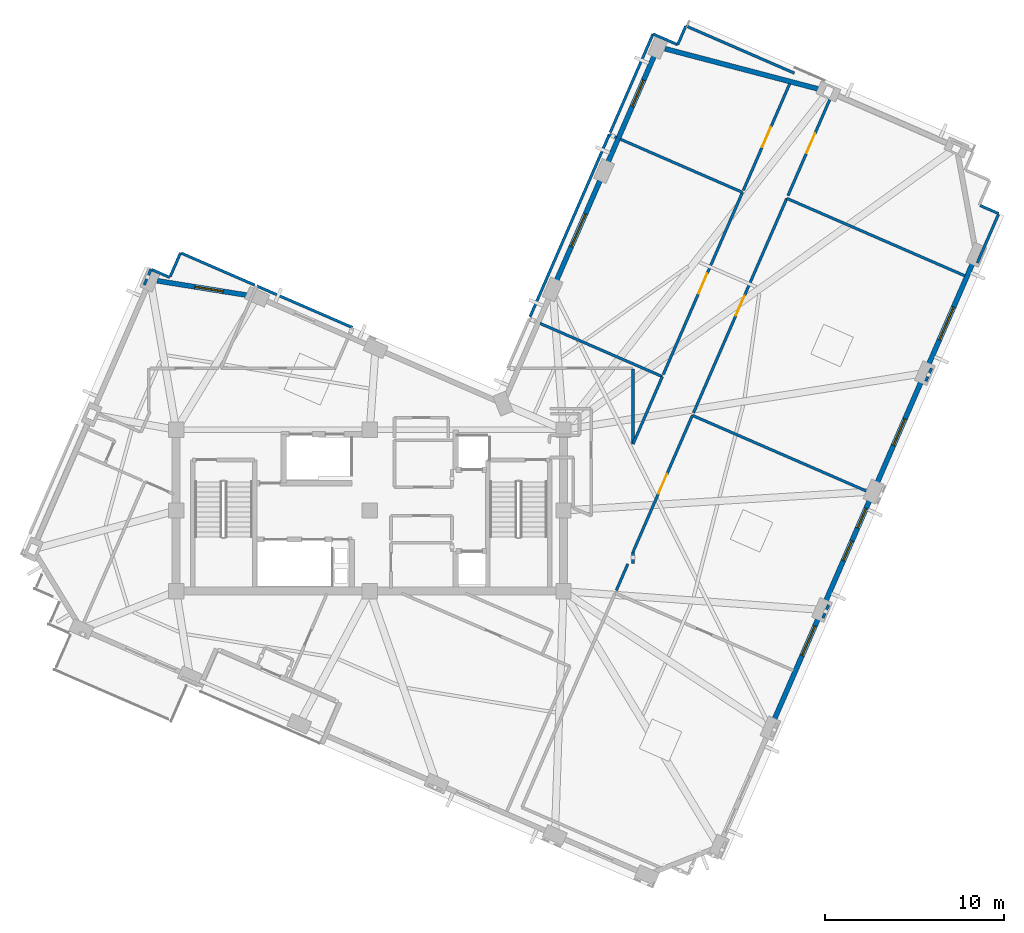
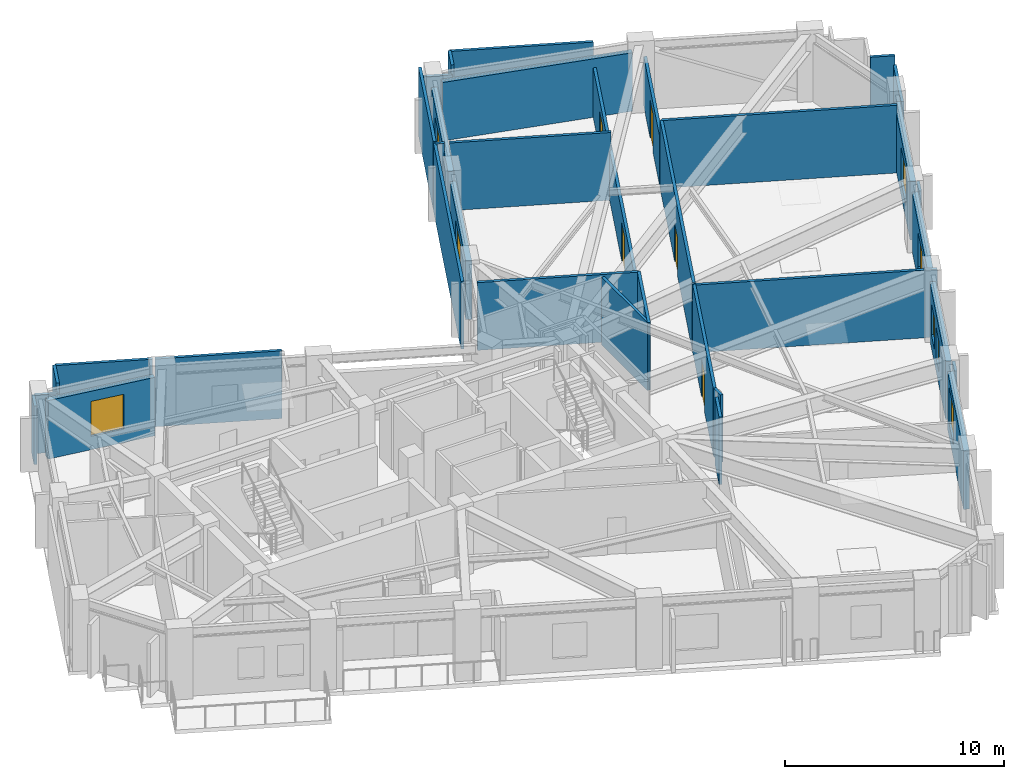
# One storey, part 7 of 12: 36 walls, 8 windows, 5 doors, 13 openings.
"""IFC4 building model written with IfcOpenShell, lengths in metres."""

from ifc_helpers import new_model, si_unit, direction, frame, frame_2d, origin, place, context, subcontext, project, spatial, rectangle, extrude, material, layer, layer_set, type_object, element, fill, save


model = new_model("IFC4")

# Units and contexts
model_context = context("Model", 3, precision=1e-05, world=origin(), true_north=direction((0.0, 1.0)))
body_context = subcontext(model_context, "Body", "Model", "MODEL_VIEW")
ifc_project = project(units=[si_unit("LENGTHUNIT", "METRE"), si_unit("AREAUNIT", "SQUARE_METRE"), si_unit("VOLUMEUNIT", "CUBIC_METRE"), si_unit("PLANEANGLEUNIT", "RADIAN"), si_unit("MASSUNIT", "GRAM", prefix="KILO")], contexts=[model_context])

# Site, building, storey
site_placement = place(None, origin())
site = spatial("IfcSite", under=ifc_project, at=site_placement, CompositionType="ELEMENT")
building_placement = place(site_placement, origin())
building = spatial("IfcBuilding", under=site, at=building_placement, Name="Gaonmaruhae Medical Tower", CompositionType="ELEMENT")
storey_placement = place(building_placement, frame((0.0, 0.0, 316.60009765625)))
storey = spatial("IfcBuildingStorey", under=building, at=storey_placement, Name="L76", CompositionType="ELEMENT", Elevation=316.60009765625)

# Wall, opening, window
ifc_material_1 = material(Name="Precast concrete C45/55", Category="concrete")
ifc_layer_1 = layer(ifc_material_1, 0.280029296875)
ifc_layer_set_1 = layer_set([ifc_layer_1], Name="Precast concrete C45/55")
wall_type_1 = type_object("IfcWallType", Name="EW-280 Upper Precast Masonry-Frame Facade Wall", PredefinedType="SOLIDWALL", material=ifc_layer_set_1)
wall_1_placement = place(storey_placement, frame((49.858642578125, 6.392578125, 0.0), z_axis=(0.0, 0.0, 1.0), x_axis=(-0.398758169539, -0.917056117272, 0.0)))
wall_1 = element("IfcWall", 1, at=wall_1_placement, inside=storey, type_object=wall_type_1, Name="L76 Precast Masonry-Frame Wall S02-S03", PredefinedType="SOLIDWALL", context=body_context, shape_type="SweptSolid", body=[
    extrude(rectangle(XDim=6.40478515625, YDim=0.280029296875, at=frame_2d((3.202392578125, 0.0))), origin(), (0.0, 0.0, 1.0), 3.244873046875),
])
opening_1_placement = place(wall_1_placement, frame((0.583740234375, 0.0, 0.75)))
opening_1 = element("IfcOpeningElement", 2, at=opening_1_placement, cuts=wall_1, Name="Opening WN-04", PredefinedType="OPENING", context=body_context, shape_type="SweptSolid", body=[
    extrude(rectangle(XDim=1.800048828125, YDim=2.050048828125, at=frame_2d((0.89990234375, 1.02490234375))), frame((0.0, 0.14990234375, 0.0), z_axis=(0.0, -1.0, 0.0), x_axis=(1.0, 0.0, 0.0)), (0.0, 0.0, 1.0), 0.300048828125),
])
ifc_material_2 = material(Name="Anodised aluminium and Low-E double glazing", Category="aluminium")
window_type_1 = type_object("IfcWindowType", Name="WN-04 Clinic & Consult Punched Window 1800x2050", PartitioningType="SINGLE_PANEL", PredefinedType="WINDOW", material=ifc_material_2)
window_1_placement = place(opening_1_placement, origin())
window_1 = element("IfcWindow", 3, at=window_1_placement, inside=storey, type_object=window_type_1, Name="L76 Modular Facade Window S02", OverallHeight=2.050048828125, OverallWidth=1.800048828125, PartitioningType="SINGLE_PANEL", PredefinedType="WINDOW", context=body_context, shape_type="SweptSolid", body=[
    extrude(rectangle(XDim=1.800048828125, YDim=2.050048828125, at=frame_2d((0.89990234375, 1.02490234375))), frame((0.0, 0.030029296875, 0.0), z_axis=(0.0, -1.0, 0.0), x_axis=(1.0, 0.0, 0.0)), (0.0, 0.0, 1.0), 0.06005859375),
])
fill(opening_1, window_1)

# Wall, openings, windows
wall_2_placement = place(storey_placement, frame((52.7294921875, 12.99560546875, 0.0), z_axis=(0.0, 0.0, 1.0), x_axis=(-0.398744230651, -0.917062178112, 0.0)))
wall_2 = element("IfcWall", 4, at=wall_2_placement, inside=storey, type_object=wall_type_1, Name="L76 Precast Masonry-Frame Wall S03-S04", PredefinedType="SOLIDWALL", context=body_context, shape_type="SweptSolid", body=[
    extrude(rectangle(XDim=6.405029296875, YDim=0.280029296875, at=frame_2d((3.20263671875, 0.0))), origin(), (0.0, 0.0, 1.0), 3.244873046875),
])
opening_2_placement = place(wall_2_placement, frame((2.6025390625, 0.0, 0.75)))
opening_2 = element("IfcOpeningElement", 5, at=opening_2_placement, cuts=wall_2, Name="Opening WN-05", PredefinedType="OPENING", context=body_context, shape_type="SweptSolid", body=[
    extrude(rectangle(XDim=1.199951171875, YDim=1.75, at=frame_2d((0.60009765625, 0.875))), frame((0.0, 0.14990234375, 0.0), z_axis=(0.0, -1.0, 0.0), x_axis=(1.0, 0.0, 0.0)), (0.0, 0.0, 1.0), 0.300048828125),
])
opening_3_placement = place(wall_2_placement, frame((0.63623046875, 0.0, 0.75)))
opening_3 = element("IfcOpeningElement", 6, at=opening_3_placement, cuts=wall_2, Name="Opening WN-05", PredefinedType="OPENING", context=body_context, shape_type="SweptSolid", body=[
    extrude(rectangle(XDim=1.199951171875, YDim=1.75, at=frame_2d((0.60009765625, 0.875))), frame((0.0, 0.14990234375, 0.0), z_axis=(0.0, -1.0, 0.0), x_axis=(1.0, 0.0, 0.0)), (0.0, 0.0, 1.0), 0.300048828125),
])
window_type_2 = type_object("IfcWindowType", Name="WN-05 Support & Staff Punched Window 1200x1750", PartitioningType="SINGLE_PANEL", PredefinedType="WINDOW", material=ifc_material_2)
window_2_placement = place(opening_2_placement, origin())
window_2 = element("IfcWindow", 7, at=window_2_placement, inside=storey, type_object=window_type_2, Name="L76 Modular Facade Window S03", OverallHeight=1.75, OverallWidth=1.199951171875, PartitioningType="SINGLE_PANEL", PredefinedType="WINDOW", context=body_context, shape_type="SweptSolid", body=[
    extrude(rectangle(XDim=1.199951171875, YDim=1.75, at=frame_2d((0.60009765625, 0.875))), frame((0.0, 0.030029296875, 0.0), z_axis=(0.0, -1.0, 0.0), x_axis=(1.0, 0.0, 0.0)), (0.0, 0.0, 1.0), 0.06005859375),
])
fill(opening_2, window_2)
window_3_placement = place(opening_3_placement, origin())
window_3 = element("IfcWindow", 8, at=window_3_placement, inside=storey, type_object=window_type_2, Name="L76 Modular Facade Window S03B", OverallHeight=1.75, OverallWidth=1.199951171875, PartitioningType="SINGLE_PANEL", PredefinedType="WINDOW", context=body_context, shape_type="SweptSolid", body=[
    extrude(rectangle(XDim=1.199951171875, YDim=1.75, at=frame_2d((0.60009765625, 0.875))), frame((0.0, 0.030029296875, 0.0), z_axis=(0.0, -1.0, 0.0), x_axis=(1.0, 0.0, 0.0)), (0.0, 0.0, 1.0), 0.06005859375),
])
fill(opening_3, window_3)

# Wall, opening, window
wall_3_placement = place(storey_placement, frame((55.6005859375, 19.598388671875, 0.0), z_axis=(0.0, 0.0, 1.0), x_axis=(-0.398744230651, -0.917062178112, 0.0)))
wall_3 = element("IfcWall", 9, at=wall_3_placement, inside=storey, type_object=wall_type_1, Name="L76 Precast Masonry-Frame Wall S04-S05", PredefinedType="SOLIDWALL", context=body_context, shape_type="SweptSolid", body=[
    extrude(rectangle(XDim=6.405029296875, YDim=0.280029296875, at=frame_2d((3.20263671875, 0.0))), origin(), (0.0, 0.0, 1.0), 3.244873046875),
])
opening_4_placement = place(wall_3_placement, frame((2.40234375, 0.0, 0.75)))
opening_4 = element("IfcOpeningElement", 10, at=opening_4_placement, cuts=wall_3, Name="Opening WN-01", PredefinedType="OPENING", context=body_context, shape_type="SweptSolid", body=[
    extrude(rectangle(XDim=1.60009765625, YDim=1.949951171875, at=frame_2d((0.800048828125, 0.97509765625))), frame((0.0, 0.14990234375, 0.0), z_axis=(0.0, -1.0, 0.0), x_axis=(1.0, 0.0, 0.0)), (0.0, 0.0, 1.0), 0.300048828125),
])
window_type_3 = type_object("IfcWindowType", Name="WN-01 Ward Punched Acoustic Window 1600x1950", PartitioningType="SINGLE_PANEL", PredefinedType="WINDOW", material=ifc_material_2)
window_4_placement = place(opening_4_placement, origin())
window_4 = element("IfcWindow", 11, at=window_4_placement, inside=storey, type_object=window_type_3, Name="L76 Modular Facade Window S04", OverallHeight=1.949951171875, OverallWidth=1.60009765625, PartitioningType="SINGLE_PANEL", PredefinedType="WINDOW", context=body_context, shape_type="SweptSolid", body=[
    extrude(rectangle(XDim=1.60009765625, YDim=1.949951171875, at=frame_2d((0.800048828125, 0.97509765625))), frame((0.0, 0.030029296875, 0.0), z_axis=(0.0, -1.0, 0.0), x_axis=(1.0, 0.0, 0.0)), (0.0, 0.0, 1.0), 0.06005859375),
])
fill(opening_4, window_4)

wall_4_placement = place(storey_placement, frame((58.4716796875, 26.201171875, 0.0), z_axis=(0.0, 0.0, 1.0), x_axis=(-0.398776286617, -0.917048239316, 0.0)))
wall_4 = element("IfcWall", 12, at=wall_4_placement, inside=storey, type_object=wall_type_1, Name="L76 Precast Masonry-Frame Wall S05-S06", PredefinedType="SOLIDWALL", context=body_context, shape_type="SweptSolid", body=[
    extrude(rectangle(XDim=6.405029296875, YDim=0.280029296875, at=frame_2d((3.20263671875, 0.0))), origin(), (0.0, 0.0, 1.0), 3.264892578125),
])
opening_5_placement = place(wall_4_placement, frame((2.776123046875, 0.0, 0.75)))
opening_5 = element("IfcOpeningElement", 13, at=opening_5_placement, cuts=wall_4, Name="Opening WN-02", PredefinedType="OPENING", context=body_context, shape_type="SweptSolid", body=[
    extrude(rectangle(XDim=2.0, YDim=1.949951171875, at=frame_2d((1.0, 0.97509765625))), frame((0.0, 0.14990234375, 0.0), z_axis=(0.0, -1.0, 0.0), x_axis=(1.0, 0.0, 0.0)), (0.0, 0.0, 1.0), 0.300048828125),
])
window_type_4 = type_object("IfcWindowType", Name="WN-02 Double-Bed Ward Punched Window 2000x1950", PartitioningType="SINGLE_PANEL", PredefinedType="WINDOW", material=ifc_material_2)
window_5_placement = place(opening_5_placement, origin())
window_5 = element("IfcWindow", 14, at=window_5_placement, inside=storey, type_object=window_type_4, Name="L76 Modular Facade Window S05", OverallHeight=1.949951171875, OverallWidth=2.0, PartitioningType="SINGLE_PANEL", PredefinedType="WINDOW", context=body_context, shape_type="SweptSolid", body=[
    extrude(rectangle(XDim=2.0, YDim=1.949951171875, at=frame_2d((1.0, 0.97509765625))), frame((0.0, 0.030029296875, 0.0), z_axis=(0.0, -1.0, 0.0), x_axis=(1.0, 0.0, 0.0)), (0.0, 0.0, 1.0), 0.06005859375),
])
fill(opening_5, window_5)

# Wall
wall_5_placement = place(storey_placement, frame((41.263671875, 38.05419921875, 0.0), z_axis=(0.0, 0.0, 1.0), x_axis=(0.967228971308, -0.253905724755, 0.0)))
element("IfcWall", 15, at=wall_5_placement, inside=storey, type_object=wall_type_1, Name="L76 Precast Masonry-Frame Wall E02-E03", PredefinedType="SOLIDWALL", context=body_context, shape_type="SweptSolid", body=[
    extrude(rectangle(XDim=9.020263671875, YDim=0.280029296875, at=frame_2d((4.51025390625, 0.0))), origin(), (0.0, 0.0, 1.0), 3.264892578125),
])

# Wall, opening, window
wall_6_placement = place(storey_placement, frame((38.027099609375, 31.595947265625, 0.0), z_axis=(0.0, 0.0, 1.0), x_axis=(0.398764437463, 0.917053391802, 0.0)))
wall_6 = element("IfcWall", 16, at=wall_6_placement, inside=storey, type_object=wall_type_1, Name="L76 Precast Masonry-Frame Wall E03-EN01", PredefinedType="SOLIDWALL", context=body_context, shape_type="SweptSolid", body=[
    extrude(rectangle(XDim=6.7548828125, YDim=0.280029296875, at=frame_2d((3.37744140625, 0.0))), origin(), (0.0, 0.0, 1.0), 3.264892578125),
])
opening_6_placement = place(wall_6_placement, frame((3.5380859375, 0.0, 0.75)))
opening_6 = element("IfcOpeningElement", 17, at=opening_6_placement, cuts=wall_6, Name="Opening WN-01", PredefinedType="OPENING", context=body_context, shape_type="SweptSolid", body=[
    extrude(rectangle(XDim=1.60009765625, YDim=1.949951171875, at=frame_2d((0.800048828125, 0.97509765625))), frame((0.0, 0.14990234375, 0.0), z_axis=(0.0, -1.0, 0.0), x_axis=(1.0, 0.0, 0.0)), (0.0, 0.0, 1.0), 0.300048828125),
])
window_6_placement = place(opening_6_placement, origin())
window_6 = element("IfcWindow", 18, at=window_6_placement, inside=storey, type_object=window_type_3, Name="L76 Modular Facade Window E03", OverallHeight=1.949951171875, OverallWidth=1.60009765625, PartitioningType="SINGLE_PANEL", PredefinedType="WINDOW", context=body_context, shape_type="SweptSolid", body=[
    extrude(rectangle(XDim=1.60009765625, YDim=1.949951171875, at=frame_2d((0.800048828125, 0.97509765625))), frame((0.0, 0.030029296875, 0.0), z_axis=(0.0, -1.0, 0.0), x_axis=(1.0, 0.0, 0.0)), (0.0, 0.0, 1.0), 0.06005859375),
])
fill(opening_6, window_6)

wall_7_placement = place(storey_placement, frame((35.156005859375, 24.9931640625, 0.0), z_axis=(0.0, 0.0, 1.0), x_axis=(0.398758169539, 0.917056117272, 0.0)))
wall_7 = element("IfcWall", 19, at=wall_7_placement, inside=storey, type_object=wall_type_1, Name="L76 Precast Masonry-Frame Wall EN01-EN02", PredefinedType="SOLIDWALL", context=body_context, shape_type="SweptSolid", body=[
    extrude(rectangle(XDim=6.40478515625, YDim=0.280029296875, at=frame_2d((3.202392578125, 0.0))), origin(), (0.0, 0.0, 1.0), 3.264892578125),
])
opening_7_placement = place(wall_7_placement, frame((2.202392578125, 0.0, 0.75)))
opening_7 = element("IfcOpeningElement", 20, at=opening_7_placement, cuts=wall_7, Name="Opening WN-02", PredefinedType="OPENING", context=body_context, shape_type="SweptSolid", body=[
    extrude(rectangle(XDim=2.0, YDim=1.949951171875, at=frame_2d((1.0, 0.97509765625))), frame((0.0, 0.14990234375, 0.0), z_axis=(0.0, -1.0, 0.0), x_axis=(1.0, 0.0, 0.0)), (0.0, 0.0, 1.0), 0.300048828125),
])
window_7_placement = place(opening_7_placement, origin())
window_7 = element("IfcWindow", 21, at=window_7_placement, inside=storey, type_object=window_type_4, Name="L76 Modular Facade Window EN01", OverallHeight=1.949951171875, OverallWidth=2.0, PartitioningType="SINGLE_PANEL", PredefinedType="WINDOW", context=body_context, shape_type="SweptSolid", body=[
    extrude(rectangle(XDim=2.0, YDim=1.949951171875, at=frame_2d((1.0, 0.97509765625))), frame((0.0, 0.030029296875, 0.0), z_axis=(0.0, -1.0, 0.0), x_axis=(1.0, 0.0, 0.0)), (0.0, 0.0, 1.0), 0.06005859375),
])
fill(opening_7, window_7)

wall_8_placement = place(storey_placement, frame((12.94580078125, 25.1103515625, 0.0), z_axis=(0.0, 0.0, 1.0), x_axis=(0.987363821305, -0.158469821666, 0.0)))
wall_8 = element("IfcWall", 22, at=wall_8_placement, inside=storey, type_object=wall_type_1, Name="L76 Precast Masonry-Frame Wall NE02-N01", PredefinedType="SOLIDWALL", context=body_context, shape_type="SweptSolid", body=[
    extrude(rectangle(XDim=5.244140625, YDim=0.280029296875, at=frame_2d((2.6220703125, 0.0))), origin(), (0.0, 0.0, 1.0), 3.264892578125),
])
opening_8_placement = place(wall_8_placement, frame((2.11376953125, 0.0, 0.75)))
opening_8 = element("IfcOpeningElement", 23, at=opening_8_placement, cuts=wall_8, Name="Opening WN-01", PredefinedType="OPENING", context=body_context, shape_type="SweptSolid", body=[
    extrude(rectangle(XDim=1.60009765625, YDim=1.949951171875, at=frame_2d((0.800048828125, 0.97509765625))), frame((0.0, 0.14990234375, 0.0), z_axis=(0.0, -1.0, 0.0), x_axis=(1.0, 0.0, 0.0)), (0.0, 0.0, 1.0), 0.300048828125),
])
window_8_placement = place(opening_8_placement, origin())
window_8 = element("IfcWindow", 24, at=window_8_placement, inside=storey, type_object=window_type_3, Name="L76 Modular Facade Window NE02", OverallHeight=1.949951171875, OverallWidth=1.60009765625, PartitioningType="SINGLE_PANEL", PredefinedType="WINDOW", context=body_context, shape_type="SweptSolid", body=[
    extrude(rectangle(XDim=1.60009765625, YDim=1.949951171875, at=frame_2d((0.800048828125, 0.97509765625))), frame((0.0, 0.030029296875, 0.0), z_axis=(0.0, -1.0, 0.0), x_axis=(1.0, 0.0, 0.0)), (0.0, 0.0, 1.0), 0.06005859375),
])
fill(opening_8, window_8)

# Wall
ifc_material_3 = material(Name="Gypsum board partition", Category="gypsum")
ifc_layer_2 = layer(ifc_material_3, 0.14990234375)
ifc_layer_set_2 = layer_set([ifc_layer_2], Name="Gypsum board partition")
wall_type_2 = type_object("IfcWallType", Name="PW-150 Rated Clinical Corridor Partition", PredefinedType="PARTITIONING", material=ifc_layer_set_2)
wall_9_placement = place(storey_placement, frame((39.47998046875, 9.35009765625, 0.0), z_axis=(0.0, 0.0, 1.0), x_axis=(0.0, 1.0, 0.0)))
element("IfcWall", 25, at=wall_9_placement, inside=storey, type_object=wall_type_2, Name="L76 Interior Partition L76-SUP02-22", PredefinedType="PARTITIONING", context=body_context, shape_type="SweptSolid", body=[
    extrude(rectangle(XDim=0.6337890625, YDim=0.14990234375, at=frame_2d((0.31689453125, 0.0))), origin(), (0.0, 0.0, 1.0), 3.77978515625),
])

# Wall, opening, door
wall_10_placement = place(storey_placement, frame((39.47998046875, 9.98388671875, 0.0), z_axis=(0.0, 0.0, 1.0), x_axis=(0.398659488131, 0.917099020021, 0.0)))
wall_10 = element("IfcWall", 26, at=wall_10_placement, inside=storey, type_object=wall_type_2, Name="L76 Interior Partition L76-SUP02-23", PredefinedType="PARTITIONING", context=body_context, shape_type="SweptSolid", body=[
    extrude(rectangle(XDim=8.307861328125, YDim=0.14990234375, at=frame_2d((4.15380859375, 0.0))), origin(), (0.0, 0.0, 1.0), 3.77978515625),
])
opening_9_placement = place(wall_10_placement, frame((3.553955078125, 0.0, 0.0)))
opening_9 = element("IfcOpeningElement", 27, at=opening_9_placement, cuts=wall_10, Name="Opening CD-02", PredefinedType="OPENING", context=body_context, shape_type="SweptSolid", body=[
    extrude(rectangle(XDim=1.199951171875, YDim=2.14990234375, at=frame_2d((0.60009765625, 1.074951171875))), frame((0.0, 0.0849609375, 0.0), z_axis=(0.0, -1.0, 0.0), x_axis=(1.0, 0.0, 0.0)), (0.0, 0.0, 1.0), 0.169921875),
])
ifc_material_4 = material(Name="Antimicrobial laminate timber fire door", Category="wood")
door_type = type_object("IfcDoorType", Name="CD-02 Clinical Treatment & Procedure Door 1200x2150", OperationType="NOTDEFINED", PredefinedType="DOOR", material=ifc_material_4)
door_1_placement = place(opening_9_placement, origin())
door_1 = element("IfcDoor", 28, at=door_1_placement, inside=storey, type_object=door_type, Name="L76 Clinical Biomedical Charting Office Door", OperationType="SINGLE_SWING_RIGHT", OverallHeight=2.14990234375, OverallWidth=1.199951171875, PredefinedType="DOOR", context=body_context, shape_type="SweptSolid", body=[
    extrude(rectangle(XDim=1.199951171875, YDim=2.14990234375, at=frame_2d((0.60009765625, 1.074951171875))), frame((0.0, 0.02490234375, 0.0), z_axis=(0.0, -1.0, 0.0), x_axis=(1.0, 0.0, 0.0)), (0.0, 0.0, 1.0), 0.050048828125),
])
fill(opening_9, door_1)

# Walls
wall_11_placement = place(storey_placement, frame((42.7919921875, 17.60302734375, 0.0), z_axis=(0.0, 0.0, 1.0), x_axis=(0.917063112739, -0.398742081117, 0.0)))
element("IfcWall", 29, at=wall_11_placement, inside=storey, type_object=wall_type_2, Name="L76 Interior Partition L76-SUP02-24", PredefinedType="PARTITIONING", context=body_context, shape_type="SweptSolid", body=[
    extrude(rectangle(XDim=11.18017578125, YDim=0.14990234375, at=frame_2d((5.590087890625, 0.0))), origin(), (0.0, 0.0, 1.0), 3.77978515625),
])
wall_12_placement = place(storey_placement, frame((50.385986328125, 7.030029296875, 0.0), z_axis=(0.0, 0.0, 1.0), x_axis=(-0.398658726612, -0.91709935105, 0.0)))
element("IfcWall", 30, at=wall_12_placement, inside=storey, type_object=wall_type_2, Name="L76 Interior Partition L76-SUP02-25", PredefinedType="PARTITIONING", context=body_context, shape_type="SweptSolid", body=[
    extrude(rectangle(XDim=0.794921875, YDim=0.14990234375, at=frame_2d((0.3974609375, 0.0))), origin(), (0.0, 0.0, 1.0), 3.244873046875),
])
wall_13_placement = place(storey_placement, frame((38.550048828125, 7.844970703125, 0.0), z_axis=(0.0, 0.0, 1.0), x_axis=(0.398476313607, 0.917178623548, 0.0)))
element("IfcWall", 31, at=wall_13_placement, inside=storey, type_object=wall_type_2, Name="L76 Interior Partition L76-SUP02-26", PredefinedType="PARTITIONING", context=body_context, shape_type="SweptSolid", body=[
    extrude(rectangle(XDim=1.6083984375, YDim=0.14990234375, at=frame_2d((0.80419921875, 0.0))), origin(), (0.0, 0.0, 1.0), 3.77978515625),
])

# Wall, opening, door
wall_14_placement = place(storey_placement, frame((42.85595703125, 17.7490234375, 0.0), z_axis=(0.0, 0.0, 1.0), x_axis=(0.398751440491, 0.917059043195, 0.0)))
wall_14 = element("IfcWall", 32, at=wall_14_placement, inside=storey, type_object=wall_type_2, Name="L76 Interior Partition L76-SUP03-27", PredefinedType="PARTITIONING", context=body_context, shape_type="SweptSolid", body=[
    extrude(rectangle(XDim=13.04052734375, YDim=0.14990234375, at=frame_2d((6.520263671875, 0.0))), origin(), (0.0, 0.0, 1.0), 3.77978515625),
])
opening_10_placement = place(wall_14_placement, frame((5.92041015625, 0.0, 0.0)))
opening_10 = element("IfcOpeningElement", 33, at=opening_10_placement, cuts=wall_14, Name="Opening CD-02", PredefinedType="OPENING", context=body_context, shape_type="SweptSolid", body=[
    extrude(rectangle(XDim=1.199951171875, YDim=2.14990234375, at=frame_2d((0.60009765625, 1.074951171875))), frame((0.0, 0.0849609375, 0.0), z_axis=(0.0, -1.0, 0.0), x_axis=(1.0, 0.0, 0.0)), (0.0, 0.0, 1.0), 0.169921875),
])
door_2_placement = place(opening_10_placement, origin())
door_2 = element("IfcDoor", 34, at=door_2_placement, inside=storey, type_object=door_type, Name="L76 Clinical Biomedical Charting Office Door", OperationType="SINGLE_SWING_LEFT", OverallHeight=2.14990234375, OverallWidth=1.199951171875, PredefinedType="DOOR", context=body_context, shape_type="SweptSolid", body=[
    extrude(rectangle(XDim=1.199951171875, YDim=2.14990234375, at=frame_2d((0.60009765625, 1.074951171875))), frame((0.0, 0.02490234375, 0.0), z_axis=(0.0, -1.0, 0.0), x_axis=(1.0, 0.0, 0.0)), (0.0, 0.0, 1.0), 0.050048828125),
])
fill(opening_10, door_2)

# Walls
wall_15_placement = place(storey_placement, frame((48.055908203125, 29.7080078125, 0.0), z_axis=(0.0, 0.0, 1.0), x_axis=(0.917068265028, -0.398730231207, 0.0)))
element("IfcWall", 35, at=wall_15_placement, inside=storey, type_object=wall_type_2, Name="L76 Interior Partition L76-SUP03-28", PredefinedType="PARTITIONING", context=body_context, shape_type="SweptSolid", body=[
    extrude(rectangle(XDim=10.83447265625, YDim=0.14990234375, at=frame_2d((5.417236328125, 0.0))), origin(), (0.0, 0.0, 1.0), 3.77978515625),
])
wall_16_placement = place(storey_placement, frame((56.12890625, 20.236083984375, 0.0), z_axis=(0.0, 0.0, 1.0), x_axis=(-0.398658726612, -0.91709935105, 0.0)))
element("IfcWall", 36, at=wall_16_placement, inside=storey, type_object=wall_type_2, Name="L76 Interior Partition L76-SUP03-29", PredefinedType="PARTITIONING", context=body_context, shape_type="SweptSolid", body=[
    extrude(rectangle(XDim=0.794921875, YDim=0.14990234375, at=frame_2d((0.3974609375, 0.0))), origin(), (0.0, 0.0, 1.0), 3.264892578125),
])
wall_17_placement = place(storey_placement, frame((58.842041015625, 29.30908203125, 0.0), z_axis=(0.0, 0.0, 1.0), x_axis=(0.916815661373, -0.399310709926, 0.0)))
element("IfcWall", 37, at=wall_17_placement, inside=storey, type_object=wall_type_2, Name="L76 Interior Partition L76-SUP04-31", PredefinedType="PARTITIONING", context=body_context, shape_type="SweptSolid", body=[
    extrude(rectangle(XDim=1.1298828125, YDim=0.14990234375, at=frame_2d((0.56494140625, 0.0))), origin(), (0.0, 0.0, 1.0), 3.77978515625),
])
wall_18_placement = place(storey_placement, frame((59.85791015625, 28.81201171875, 0.0), z_axis=(0.0, 0.0, 1.0), x_axis=(-0.399092651862, -0.916910603728, 0.0)))
element("IfcWall", 38, at=wall_18_placement, inside=storey, type_object=wall_type_2, Name="L76 Interior Partition L76-SUP04-32", PredefinedType="PARTITIONING", context=body_context, shape_type="SweptSolid", body=[
    extrude(rectangle(XDim=2.94677734375, YDim=0.14990234375, at=frame_2d((1.473388671875, 0.0))), origin(), (0.0, 0.0, 1.0), 3.264892578125),
])

# Wall, opening, door
wall_19_placement = place(storey_placement, frame((48.1201171875, 29.85400390625, 0.0), z_axis=(0.0, 0.0, 1.0), x_axis=(0.398700984872, 0.917080980428, 0.0)))
wall_19 = element("IfcWall", 39, at=wall_19_placement, inside=storey, type_object=wall_type_2, Name="L76 Interior Partition L76-SUP04-33", PredefinedType="PARTITIONING", context=body_context, shape_type="SweptSolid", body=[
    extrude(rectangle(XDim=6.395263671875, YDim=0.14990234375, at=frame_2d((3.19775390625, 0.0))), origin(), (0.0, 0.0, 1.0), 2.764892578125),
])
opening_11_placement = place(wall_19_placement, frame((2.59765625, 0.0, 0.0)))
opening_11 = element("IfcOpeningElement", 40, at=opening_11_placement, cuts=wall_19, Name="Opening CD-02", PredefinedType="OPENING", context=body_context, shape_type="SweptSolid", body=[
    extrude(rectangle(XDim=1.199951171875, YDim=2.14990234375, at=frame_2d((0.60009765625, 1.074951171875))), frame((0.0, 0.0849609375, 0.0), z_axis=(0.0, -1.0, 0.0), x_axis=(1.0, 0.0, 0.0)), (0.0, 0.0, 1.0), 0.169921875),
])
door_3_placement = place(opening_11_placement, origin())
door_3 = element("IfcDoor", 41, at=door_3_placement, inside=storey, type_object=door_type, Name="L76 Clinical Biomedical Charting Office Door", OperationType="SINGLE_SWING_LEFT", OverallHeight=2.14990234375, OverallWidth=1.199951171875, PredefinedType="DOOR", context=body_context, shape_type="SweptSolid", body=[
    extrude(rectangle(XDim=1.199951171875, YDim=2.14990234375, at=frame_2d((0.60009765625, 1.074951171875))), frame((0.0, 0.02490234375, 0.0), z_axis=(0.0, -1.0, 0.0), x_axis=(1.0, 0.0, 0.0)), (0.0, 0.0, 1.0), 0.050048828125),
])
fill(opening_11, door_3)

# Walls
wall_20_placement = place(storey_placement, frame((34.299072265625, 22.73291015625, 0.0), z_axis=(0.0, 0.0, 1.0), x_axis=(0.917042906391, -0.398788550284, 0.0)))
element("IfcWall", 42, at=wall_20_placement, inside=storey, type_object=wall_type_2, Name="L76 Interior Partition L76-IE01-62", PredefinedType="PARTITIONING", context=body_context, shape_type="SweptSolid", body=[
    extrude(rectangle(XDim=7.4345703125, YDim=0.14990234375, at=frame_2d((3.71728515625, 0.0))), origin(), (0.0, 0.0, 1.0), 3.77978515625),
])
wall_21_placement = place(storey_placement, frame((41.116943359375, 19.76806640625, 0.0), z_axis=(0.0, 0.0, 1.0), x_axis=(-0.398715239341, -0.917074783165, 0.0)))
element("IfcWall", 43, at=wall_21_placement, inside=storey, type_object=wall_type_2, Name="L76 Interior Partition L76-IE01-63", PredefinedType="PARTITIONING", context=body_context, shape_type="SweptSolid", body=[
    extrude(rectangle(XDim=4.105712890625, YDim=0.14990234375, at=frame_2d((2.052734375, 0.0))), origin(), (0.0, 0.0, 1.0), 3.77978515625),
])
wall_22_placement = place(storey_placement, frame((39.47998046875, 16.0029296875, 0.0), z_axis=(0.0, 0.0, 1.0), x_axis=(0.0, 1.0, 0.0)))
element("IfcWall", 44, at=wall_22_placement, inside=storey, type_object=wall_type_2, Name="L76 Interior Partition L76-IE01-64", PredefinedType="PARTITIONING", context=body_context, shape_type="SweptSolid", body=[
    extrude(rectangle(XDim=4.199951171875, YDim=0.14990234375, at=frame_2d((2.10009765625, 0.0))), origin(), (0.0, 0.0, 1.0), 3.77978515625),
])

# Wall, opening, door
wall_23_placement = place(storey_placement, frame((45.5849609375, 30.044921875, 0.0), z_axis=(0.0, 0.0, 1.0), x_axis=(-0.398687458661, -0.91708686083, 0.0)))
wall_23 = element("IfcWall", 45, at=wall_23_placement, inside=storey, type_object=wall_type_2, Name="L76 Interior Partition L76-IE02-65", PredefinedType="PARTITIONING", context=body_context, shape_type="SweptSolid", body=[
    extrude(rectangle(XDim=11.086181640625, YDim=0.14990234375, at=frame_2d((5.54296875, 0.0))), origin(), (0.0, 0.0, 1.0), 2.764892578125),
])
opening_12_placement = place(wall_23_placement, frame((4.943115234375, 0.0, 0.0)))
opening_12 = element("IfcOpeningElement", 46, at=opening_12_placement, cuts=wall_23, Name="Opening CD-02", PredefinedType="OPENING", context=body_context, shape_type="SweptSolid", body=[
    extrude(rectangle(XDim=1.199951171875, YDim=2.14990234375, at=frame_2d((0.60009765625, 1.074951171875))), frame((0.0, 0.0849609375, 0.0), z_axis=(0.0, -1.0, 0.0), x_axis=(1.0, 0.0, 0.0)), (0.0, 0.0, 1.0), 0.169921875),
])
door_4_placement = place(opening_12_placement, origin())
door_4 = element("IfcDoor", 47, at=door_4_placement, inside=storey, type_object=door_type, Name="L76 Acute Treatment Examination Room Door", OperationType="SINGLE_SWING_LEFT", OverallHeight=2.14990234375, OverallWidth=1.199951171875, PredefinedType="DOOR", context=body_context, shape_type="SweptSolid", body=[
    extrude(rectangle(XDim=1.199951171875, YDim=2.14990234375, at=frame_2d((0.60009765625, 1.074951171875))), frame((0.0, 0.02490234375, 0.0), z_axis=(0.0, -1.0, 0.0), x_axis=(1.0, 0.0, 0.0)), (0.0, 0.0, 1.0), 0.050048828125),
])
fill(opening_12, door_4)

# Walls
wall_24_placement = place(storey_placement, frame((33.736083984375, 23.10791015625, 0.0), z_axis=(0.0, 0.0, 1.0), x_axis=(0.398761541239, 0.917054651168, 0.0)))
element("IfcWall", 48, at=wall_24_placement, inside=storey, type_object=wall_type_2, Name="L76 Interior Partition L76-IE02-66", PredefinedType="PARTITIONING", context=body_context, shape_type="SweptSolid", body=[
    extrude(rectangle(XDim=11.086669921875, YDim=0.14990234375, at=frame_2d((5.54345703125, 0.0))), origin(), (0.0, 0.0, 1.0), 3.77978515625),
])
wall_25_placement = place(storey_placement, frame((38.156982421875, 33.27490234375, 0.0), z_axis=(0.0, 0.0, 1.0), x_axis=(0.916748651636, -0.399464528742, 0.0)))
element("IfcWall", 49, at=wall_25_placement, inside=storey, type_object=wall_type_2, Name="L76 Interior Partition L76-IE02-67", PredefinedType="PARTITIONING", context=body_context, shape_type="SweptSolid", body=[
    extrude(rectangle(XDim=0.43505859375, YDim=0.14990234375, at=frame_2d((0.217529296875, 0.0))), origin(), (0.0, 0.0, 1.0), 3.77978515625),
])
wall_26_placement = place(storey_placement, frame((38.76708984375, 33.010009765625, 0.0), z_axis=(0.0, 0.0, 1.0), x_axis=(0.917030896956, -0.398816165707, 0.0)))
element("IfcWall", 50, at=wall_26_placement, inside=storey, type_object=wall_type_2, Name="L76 Interior Partition L76-IE02-68", PredefinedType="PARTITIONING", context=body_context, shape_type="SweptSolid", body=[
    extrude(rectangle(XDim=7.434814453125, YDim=0.14990234375, at=frame_2d((3.71728515625, 0.0))), origin(), (0.0, 0.0, 1.0), 3.77978515625),
])
wall_27_placement = place(storey_placement, frame((41.969970703125, 38.281005859375, 0.0), z_axis=(0.0, 0.0, 1.0), x_axis=(0.398569395059, 0.917138177878, 0.0)))
element("IfcWall", 51, at=wall_27_placement, inside=storey, type_object=wall_type_2, Name="L76 Interior Partition L76-IE03-69", PredefinedType="PARTITIONING", context=body_context, shape_type="SweptSolid", body=[
    extrude(rectangle(XDim=1.139404296875, YDim=0.14990234375, at=frame_2d((0.56982421875, 0.0))), origin(), (0.0, 0.0, 1.0), 3.77978515625),
])
wall_28_placement = place(storey_placement, frame((42.424072265625, 39.325927734375, 0.0), z_axis=(0.0, 0.0, 1.0), x_axis=(0.917064175576, -0.3987396367, 0.0)))
element("IfcWall", 52, at=wall_28_placement, inside=storey, type_object=wall_type_2, Name="L76 Interior Partition L76-IE03-70", PredefinedType="PARTITIONING", context=body_context, shape_type="SweptSolid", body=[
    extrude(rectangle(XDim=6.600341796875, YDim=0.14990234375, at=frame_2d((3.30029296875, 0.0))), origin(), (0.0, 0.0, 1.0), 3.77978515625),
])

# Wall, opening, door
wall_29_placement = place(storey_placement, frame((48.221923828125, 36.10791015625, 0.0), z_axis=(0.0, 0.0, 1.0), x_axis=(-0.398811373886, -0.9170329809, 0.0)))
wall_29 = element("IfcWall", 53, at=wall_29_placement, inside=storey, type_object=wall_type_2, Name="L76 Interior Partition L76-IE03-71", PredefinedType="PARTITIONING", context=body_context, shape_type="SweptSolid", body=[
    extrude(rectangle(XDim=6.491455078125, YDim=0.14990234375, at=frame_2d((3.24560546875, 0.0))), origin(), (0.0, 0.0, 1.0), 2.764892578125),
])
opening_13_placement = place(wall_29_placement, frame((2.645751953125, 0.0, 0.0)))
opening_13 = element("IfcOpeningElement", 54, at=opening_13_placement, cuts=wall_29, Name="Opening CD-02", PredefinedType="OPENING", context=body_context, shape_type="SweptSolid", body=[
    extrude(rectangle(XDim=1.199951171875, YDim=2.14990234375, at=frame_2d((0.60009765625, 1.074951171875))), frame((0.0, 0.0849609375, 0.0), z_axis=(0.0, -1.0, 0.0), x_axis=(1.0, 0.0, 0.0)), (0.0, 0.0, 1.0), 0.169921875),
])
door_5_placement = place(opening_13_placement, origin())
door_5 = element("IfcDoor", 55, at=door_5_placement, inside=storey, type_object=door_type, Name="L76 Clean Medication Preparation Room Door", OperationType="SINGLE_SWING_LEFT", OverallHeight=2.14990234375, OverallWidth=1.199951171875, PredefinedType="DOOR", context=body_context, shape_type="SweptSolid", body=[
    extrude(rectangle(XDim=1.199951171875, YDim=2.14990234375, at=frame_2d((0.60009765625, 1.074951171875))), frame((0.0, 0.02490234375, 0.0), z_axis=(0.0, -1.0, 0.0), x_axis=(1.0, 0.0, 0.0)), (0.0, 0.0, 1.0), 0.050048828125),
])
fill(opening_13, door_5)

# Walls
wall_30_placement = place(storey_placement, frame((38.205078125, 33.385009765625, 0.0), z_axis=(0.0, 0.0, 1.0), x_axis=(0.398763364975, 0.917053858153, 0.0)))
element("IfcWall", 56, at=wall_30_placement, inside=storey, type_object=wall_type_2, Name="L76 Interior Partition L76-IE03-72", PredefinedType="PARTITIONING", context=body_context, shape_type="SweptSolid", body=[
    extrude(rectangle(XDim=5.99072265625, YDim=0.14990234375, at=frame_2d((2.995361328125, 0.0))), origin(), (0.0, 0.0, 1.0), 3.77978515625),
])
wall_31_placement = place(storey_placement, frame((40.593994140625, 38.87890625, 0.0), z_axis=(0.0, 0.0, 1.0), x_axis=(0.91715541112, -0.398529737728, 0.0)))
element("IfcWall", 57, at=wall_31_placement, inside=storey, type_object=wall_type_2, Name="L76 Interior Partition L76-IE03-73", PredefinedType="PARTITIONING", context=body_context, shape_type="SweptSolid", body=[
    extrude(rectangle(XDim=1.500244140625, YDim=0.14990234375, at=frame_2d((0.75, 0.0))), origin(), (0.0, 0.0, 1.0), 3.264892578125),
])
wall_32_placement = place(storey_placement, frame((18.491943359375, 24.825927734375, 0.0), z_axis=(0.0, 0.0, 1.0), x_axis=(0.917125302545, -0.398599020862, 0.0)))
element("IfcWall", 58, at=wall_32_placement, inside=storey, type_object=wall_type_2, Name="L76 Interior Partition L76-IN02-76", PredefinedType="PARTITIONING", context=body_context, shape_type="SweptSolid", body=[
    extrude(rectangle(XDim=5.830322265625, YDim=0.14990234375, at=frame_2d((2.9150390625, 0.0))), origin(), (0.0, 0.0, 1.0), 3.77978515625),
])
wall_33_placement = place(storey_placement, frame((12.219970703125, 24.885009765625, 0.0), z_axis=(0.0, 0.0, 1.0), x_axis=(0.399235297463, 0.916848502894, 0.0)))
element("IfcWall", 59, at=wall_33_placement, inside=storey, type_object=wall_type_2, Name="L76 Interior Partition L76-IN03-82", PredefinedType="PARTITIONING", context=body_context, shape_type="SweptSolid", body=[
    extrude(rectangle(XDim=0.946533203125, YDim=0.14990234375, at=frame_2d((0.47314453125, 0.0))), origin(), (0.0, 0.0, 1.0), 3.264892578125),
])
wall_34_placement = place(storey_placement, frame((12.64404296875, 25.73291015625, 0.0), z_axis=(0.0, 0.0, 1.0), x_axis=(0.9173866736, -0.397997099362, 0.0)))
element("IfcWall", 60, at=wall_34_placement, inside=storey, type_object=wall_type_2, Name="L76 Interior Partition L76-IN03-83", PredefinedType="PARTITIONING", context=body_context, shape_type="SweptSolid", body=[
    extrude(rectangle(XDim=1.090087890625, YDim=0.14990234375, at=frame_2d((0.544921875, 0.0))), origin(), (0.0, 0.0, 1.0), 3.264892578125),
])
wall_35_placement = place(storey_placement, frame((13.6640625, 25.344970703125, 0.0), z_axis=(0.0, 0.0, 1.0), x_axis=(0.398732271116, 0.917067378097, 0.0)))
element("IfcWall", 61, at=wall_35_placement, inside=storey, type_object=wall_type_2, Name="L76 Interior Partition L76-IN03-84", PredefinedType="PARTITIONING", context=body_context, shape_type="SweptSolid", body=[
    extrude(rectangle(XDim=1.44921875, YDim=0.14990234375, at=frame_2d((0.724609375, 0.0))), origin(), (0.0, 0.0, 1.0), 3.77978515625),
])
wall_36_placement = place(storey_placement, frame((14.2880859375, 26.654052734375, 0.0), z_axis=(0.0, 0.0, 1.0), x_axis=(0.91706744789, -0.398732110595, 0.0)))
element("IfcWall", 62, at=wall_36_placement, inside=storey, type_object=wall_type_2, Name="L76 Interior Partition L76-IN03-85", PredefinedType="PARTITIONING", context=body_context, shape_type="SweptSolid", body=[
    extrude(rectangle(XDim=4.464111328125, YDim=0.14990234375, at=frame_2d((2.23193359375, 0.0))), origin(), (0.0, 0.0, 1.0), 3.77978515625),
])

save(model, "model.ifc")
